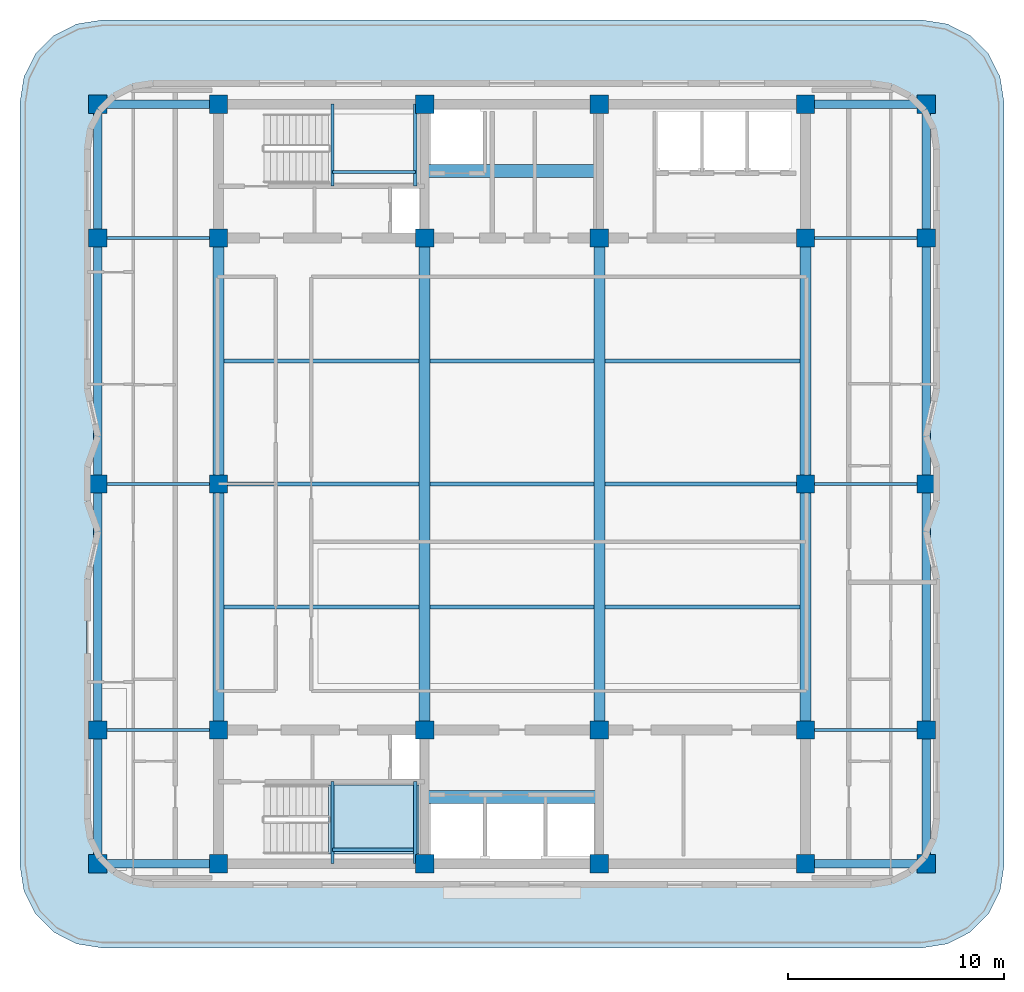
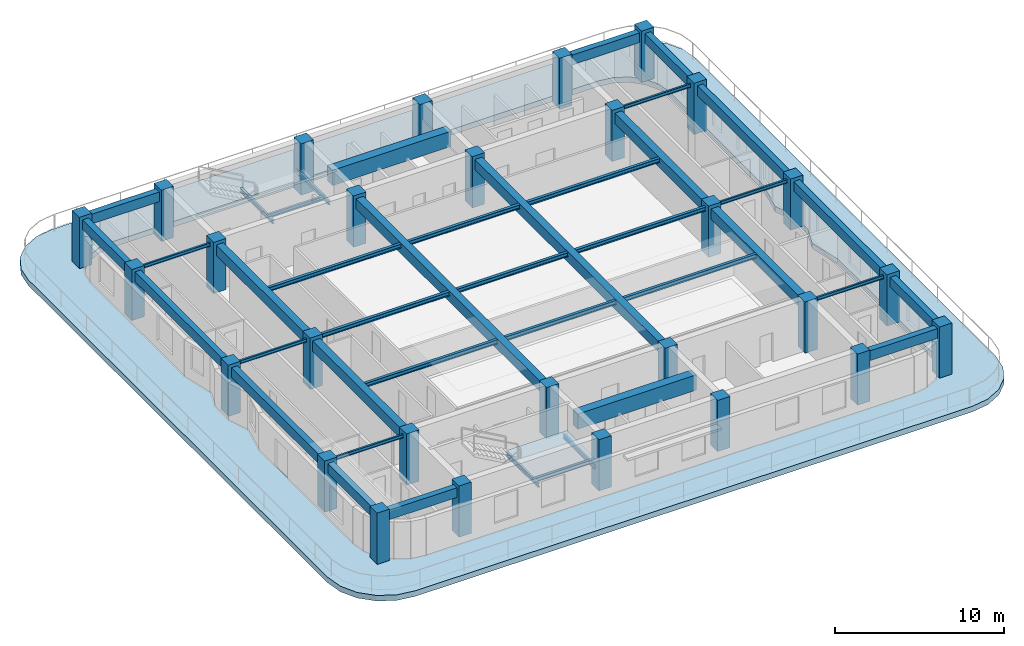
# One storey, part 1 of 9: 41 beams, 28 columns, 2 slabs, 1 element without a shape of its own.
"""IFC4 building model written with IfcOpenShell, lengths in metres."""

from ifc_helpers import new_model, si_unit, direction, frame, origin, origin_2d, place, context, subcontext, project, spatial, polyline, rectangle, i_section, outline, extrude, material, layer, layer_set, material_profile, profile_set, type_object, element, aggregate, save


model = new_model("IFC4")

# Units and contexts
model_context = context("Model", 3, precision=1e-05, world=origin(), true_north=direction((0.0, 1.0)))
body_context = subcontext(model_context, "Body", "Model", "MODEL_VIEW")
ifc_project = project(units=[si_unit("LENGTHUNIT", "METRE"), si_unit("AREAUNIT", "SQUARE_METRE"), si_unit("VOLUMEUNIT", "CUBIC_METRE"), si_unit("PLANEANGLEUNIT", "RADIAN"), si_unit("MASSUNIT", "GRAM", prefix="KILO")], contexts=[model_context])

# Site, building, storey
site_placement = place(None, origin())
site = spatial("IfcSite", under=ifc_project, at=site_placement, CompositionType="ELEMENT")
building_placement = place(site_placement, origin())
building = spatial("IfcBuilding", under=site, at=building_placement, Name="Svetorya Sky Lyceum", CompositionType="ELEMENT")
storey_placement = place(building_placement, frame((0.0, 0.0, 225.800048828125)))
storey = spatial("IfcBuildingStorey", under=building, at=storey_placement, Name="L56", CompositionType="ELEMENT", Elevation=225.800048828125)

# Columns
ifc_material_1 = material(Name="Concrete C50/60", Category="concrete")
ifc_material_profile_1 = material_profile(ifc_material_1, rectangle(XDim=0.85009765625, YDim=0.85009765625, at=origin_2d()), Name="RC COL 850x850")
ifc_profile_set_1 = profile_set([ifc_material_profile_1], Name="Concrete C50/60")
column_type = type_object("IfcColumnType", Name="COL-RC-850", PredefinedType="COLUMN", material=ifc_profile_set_1)
for number, where, z_axis, x_axis, name in (
    (1, (25.60009765625, 10.60009765625, 0.0), (0.0, 0.0, 1.0), (1.0, 0.0, 0.0), "L56 Core Column CS-11"),
    (2, (25.60009765625, 16.800048828125, 0.0), (0.0, 0.0, 1.0), (1.0, 0.0, 0.0), "L56 Core Column CS-12"),
    (3, (35.14990234375, 10.60009765625, 0.0), (0.0, 0.0, 1.0), (1.0, 0.0, 0.0), "L56 Core Column CS-21"),
    (4, (35.14990234375, 16.800048828125, 0.0), (0.0, 0.0, 1.0), (1.0, 0.0, 0.0), "L56 Core Column CS-22"),
    (5, (43.25, 10.60009765625, 0.0), (0.0, 0.0, 1.0), (1.0, 0.0, 0.0), "L56 Core Column CS-31"),
    (6, (43.25, 16.800048828125, 0.0), (0.0, 0.0, 1.0), (1.0, 0.0, 0.0), "L56 Core Column CS-32"),
    (7, (52.800048828125, 10.60009765625, 0.0), (0.0, 0.0, 1.0), (1.0, 0.0, 0.0), "L56 Core Column CS-41"),
    (8, (52.800048828125, 16.800048828125, 0.0), (0.0, 0.0, 1.0), (1.0, 0.0, 0.0), "L56 Core Column CS-42"),
    (9, (25.60009765625, 39.60009765625, 0.0), (0.0, 0.0, 1.0), (1.0, 0.0, 0.0), "L56 Core Column CN-11"),
    (10, (25.60009765625, 45.800048828125, 0.0), (0.0, 0.0, 1.0), (1.0, 0.0, 0.0), "L56 Core Column CN-12"),
    (11, (35.14990234375, 39.60009765625, 0.0), (0.0, 0.0, 1.0), (1.0, 0.0, 0.0), "L56 Core Column CN-21"),
    (12, (35.14990234375, 45.800048828125, 0.0), (0.0, 0.0, 1.0), (1.0, 0.0, 0.0), "L56 Core Column CN-22"),
    (13, (43.25, 39.60009765625, 0.0), (0.0, 0.0, 1.0), (1.0, 0.0, 0.0), "L56 Core Column CN-31"),
    (14, (43.25, 45.800048828125, 0.0), (0.0, 0.0, 1.0), (1.0, 0.0, 0.0), "L56 Core Column CN-32"),
    (15, (52.800048828125, 39.60009765625, 0.0), (0.0, 0.0, 1.0), (1.0, 0.0, 0.0), "L56 Core Column CN-41"),
    (16, (52.800048828125, 45.800048828125, 0.0), (0.0, 0.0, 1.0), (1.0, 0.0, 0.0), "L56 Core Column CN-42"),
    (17, (25.60009765625, 28.199951171875, 0.0), (0.0, 0.0, 1.0), (1.0, 0.0, 0.0), "L56 Core Column CM-W"),
    (18, (52.800048828125, 28.199951171875, 0.0), (0.0, 0.0, 1.0), (1.0, 0.0, 0.0), "L56 Core Column CM-E"),
    (19, (20.010009765625, 10.60009765625, 0.0), (0.0, 0.0, 1.0), (1.0, 0.0, 0.0), "L56 Perimeter Column W1"),
    (20, (58.389892578125, 10.60009765625, 0.0), (0.0, 0.0, 1.0), (1.0, 0.0, 0.0), "L56 Perimeter Column E1"),
    (21, (20.010009765625, 16.800048828125, 0.0), (0.0, 0.0, 1.0), (1.0, 0.0, 0.0), "L56 Perimeter Column W2"),
    (22, (58.389892578125, 16.800048828125, 0.0), (0.0, 0.0, 1.0), (1.0, 0.0, 0.0), "L56 Perimeter Column E2"),
    (23, (20.010009765625, 28.199951171875, 0.0), (0.0, 0.0, 1.0), (1.0, 0.0, 0.0), "L56 Perimeter Column W3"),
    (24, (58.389892578125, 28.199951171875, 0.0), (0.0, 0.0, 1.0), (1.0, 0.0, 0.0), "L56 Perimeter Column E3"),
    (25, (20.010009765625, 39.60009765625, 0.0), (0.0, 0.0, 1.0), (1.0, 0.0, 0.0), "L56 Perimeter Column W4"),
    (26, (58.389892578125, 39.60009765625, 0.0), (0.0, 0.0, 1.0), (1.0, 0.0, 0.0), "L56 Perimeter Column E4"),
    (27, (20.010009765625, 45.800048828125, 0.0), (0.0, 0.0, 1.0), (1.0, 0.0, 0.0), "L56 Perimeter Column W5"),
    (28, (58.389892578125, 45.800048828125, 0.0), (0.0, 0.0, 1.0), (1.0, 0.0, 0.0), "L56 Perimeter Column E5"),
):
    element("IfcColumn", number, at=place(storey_placement, frame(where, z_axis=z_axis, x_axis=x_axis)), inside=storey, type_object=column_type, Name=name, PredefinedType="COLUMN", context=body_context, shape_type="SweptSolid", body=[
        extrude(rectangle(XDim=0.85009765625, YDim=0.85009765625, at=origin_2d()), origin(), (0.0, 0.0, 1.0), 3.699951171875),
    ])

# Beams
ifc_material_2 = material(Name="Concrete C60/75", Category="concrete")
ifc_material_profile_2 = material_profile(ifc_material_2, rectangle(XDim=0.60009765625, YDim=1.10009765625, at=origin_2d()), Name="RC COUPLING 600x1100")
ifc_profile_set_2 = profile_set([ifc_material_profile_2], Name="Concrete C60/75")
beam_type_1 = type_object("IfcBeamType", Name="BM-CPL-1100", PredefinedType="LINTEL", material=ifc_profile_set_2)
for number, where, z_axis, x_axis, name in (
    (29, (35.14990234375, 13.699951171875, 2.89990234375), (1.0, 0.0, 0.0), (0.0, 1.0, 0.0), "L56 SC Core Coupling Beam"),
    (30, (35.14990234375, 42.699951171875, 2.89990234375), (1.0, 0.0, 0.0), (0.0, 1.0, 0.0), "L56 NC Core Coupling Beam"),
):
    element("IfcBeam", number, at=place(storey_placement, frame(where, z_axis=z_axis, x_axis=x_axis)), inside=storey, type_object=beam_type_1, Name=name, PredefinedType="LINTEL", context=body_context, shape_type="SweptSolid", body=[
        extrude(rectangle(XDim=0.60009765625, YDim=1.10009765625, at=origin_2d()), origin(), (0.0, 0.0, 1.0), 8.10009765625),
    ])
ifc_material_profile_3 = material_profile(ifc_material_1, rectangle(XDim=0.5, YDim=0.75, at=origin_2d()), Name="RC BEAM 500x750")
ifc_profile_set_3 = profile_set([ifc_material_profile_3], Name="Concrete C50/60")
beam_type_2 = type_object("IfcBeamType", Name="BM-RC-750", PredefinedType="BEAM", material=ifc_profile_set_3)
beam_1_placement = place(storey_placement, frame((25.60009765625, 16.800048828125, 3.074951171875), z_axis=(0.0, 1.0, 0.0), x_axis=(-1.0, 0.0, 0.0)))
element("IfcBeam", 31, at=beam_1_placement, inside=storey, type_object=beam_type_2, Name="L56 Central Bay Primary Girder CG-1A", PredefinedType="BEAM", context=body_context, shape_type="SweptSolid", body=[
    extrude(rectangle(XDim=0.5, YDim=0.75, at=origin_2d()), origin(), (0.0, 0.0, 1.0), 11.39990234375),
])
beam_2_placement = place(storey_placement, frame((25.60009765625, 28.199951171875, 3.074951171875), z_axis=(0.0, 1.0, 0.0), x_axis=(-1.0, 0.0, 0.0)))
element("IfcBeam", 32, at=beam_2_placement, inside=storey, type_object=beam_type_2, Name="L56 Central Bay Primary Girder CG-1B", PredefinedType="BEAM", context=body_context, shape_type="SweptSolid", body=[
    extrude(rectangle(XDim=0.5, YDim=0.75, at=origin_2d()), origin(), (0.0, 0.0, 1.0), 11.400146484375),
])
for number, where, z_axis, x_axis, name in (
    (33, (35.14990234375, 16.800048828125, 3.074951171875), (0.0, 1.0, 0.0), (-1.0, 0.0, 0.0), "L56 Central Bay Primary Girder CG-2"),
    (34, (43.25, 16.800048828125, 3.074951171875), (0.0, 1.0, 0.0), (-1.0, 0.0, 0.0), "L56 Central Bay Primary Girder CG-3"),
):
    element("IfcBeam", number, at=place(storey_placement, frame(where, z_axis=z_axis, x_axis=x_axis)), inside=storey, type_object=beam_type_2, Name=name, PredefinedType="BEAM", context=body_context, shape_type="SweptSolid", body=[
        extrude(rectangle(XDim=0.5, YDim=0.75, at=origin_2d()), origin(), (0.0, 0.0, 1.0), 22.800048828125),
    ])
beam_3_placement = place(storey_placement, frame((52.800048828125, 16.800048828125, 3.074951171875), z_axis=(0.0, 1.0, 0.0), x_axis=(-1.0, 0.0, 0.0)))
element("IfcBeam", 35, at=beam_3_placement, inside=storey, type_object=beam_type_2, Name="L56 Central Bay Primary Girder CG-4A", PredefinedType="BEAM", context=body_context, shape_type="SweptSolid", body=[
    extrude(rectangle(XDim=0.5, YDim=0.75, at=origin_2d()), origin(), (0.0, 0.0, 1.0), 11.39990234375),
])
beam_4_placement = place(storey_placement, frame((52.800048828125, 28.199951171875, 3.074951171875), z_axis=(0.0, 1.0, 0.0), x_axis=(-1.0, 0.0, 0.0)))
element("IfcBeam", 36, at=beam_4_placement, inside=storey, type_object=beam_type_2, Name="L56 Central Bay Primary Girder CG-4B", PredefinedType="BEAM", context=body_context, shape_type="SweptSolid", body=[
    extrude(rectangle(XDim=0.5, YDim=0.75, at=origin_2d()), origin(), (0.0, 0.0, 1.0), 11.400146484375),
])
ifc_material_profile_4 = material_profile(ifc_material_1, rectangle(XDim=0.39990234375, YDim=0.699951171875, at=origin_2d()), Name="RC SPANDREL 400x700")
ifc_profile_set_4 = profile_set([ifc_material_profile_4], Name="Concrete C50/60")
beam_type_3 = type_object("IfcBeamType", Name="BM-SPN-700", PredefinedType="SPANDREL", material=ifc_profile_set_4)
for number, where, z_axis, x_axis, name in (
    (37, (20.010009765625, 10.60009765625, 3.099853515625), (1.0, 0.0, 0.0), (0.0, 1.0, 0.0), "L56 Tie Spandrel SW"),
    (38, (20.010009765625, 45.800048828125, 3.099853515625), (1.0, 0.0, 0.0), (0.0, 1.0, 0.0), "L56 Tie Spandrel NW"),
):
    element("IfcBeam", number, at=place(storey_placement, frame(where, z_axis=z_axis, x_axis=x_axis)), inside=storey, type_object=beam_type_3, Name=name, PredefinedType="SPANDREL", context=body_context, shape_type="SweptSolid", body=[
        extrude(rectangle(XDim=0.39990234375, YDim=0.699951171875, at=origin_2d()), origin(), (0.0, 0.0, 1.0), 5.590087890625),
    ])
for number, where, z_axis, x_axis, name in (
    (39, (52.800048828125, 10.60009765625, 3.099853515625), (1.0, 0.0, 0.0), (0.0, 1.0, 0.0), "L56 Tie Spandrel SE"),
    (40, (52.800048828125, 45.800048828125, 3.099853515625), (1.0, 0.0, 0.0), (0.0, 1.0, 0.0), "L56 Tie Spandrel NE"),
):
    element("IfcBeam", number, at=place(storey_placement, frame(where, z_axis=z_axis, x_axis=x_axis)), inside=storey, type_object=beam_type_3, Name=name, PredefinedType="SPANDREL", context=body_context, shape_type="SweptSolid", body=[
        extrude(rectangle(XDim=0.39990234375, YDim=0.699951171875, at=origin_2d()), origin(), (0.0, 0.0, 1.0), 5.58984375),
    ])
beam_5_placement = place(storey_placement, frame((20.010009765625, 10.60009765625, 3.099853515625), z_axis=(0.0, 1.0, 0.0), x_axis=(-1.0, 0.0, 0.0)))
element("IfcBeam", 41, at=beam_5_placement, inside=storey, type_object=beam_type_3, Name="L56 West Spandrel 1", PredefinedType="SPANDREL", context=body_context, shape_type="SweptSolid", body=[
    extrude(rectangle(XDim=0.39990234375, YDim=0.699951171875, at=origin_2d()), origin(), (0.0, 0.0, 1.0), 6.199951171875),
])
beam_6_placement = place(storey_placement, frame((20.010009765625, 16.800048828125, 3.099853515625), z_axis=(0.0, 1.0, 0.0), x_axis=(-1.0, 0.0, 0.0)))
element("IfcBeam", 42, at=beam_6_placement, inside=storey, type_object=beam_type_3, Name="L56 West Spandrel 2", PredefinedType="SPANDREL", context=body_context, shape_type="SweptSolid", body=[
    extrude(rectangle(XDim=0.39990234375, YDim=0.699951171875, at=origin_2d()), origin(), (0.0, 0.0, 1.0), 11.39990234375),
])
beam_7_placement = place(storey_placement, frame((20.010009765625, 28.199951171875, 3.099853515625), z_axis=(0.0, 1.0, 0.0), x_axis=(-1.0, 0.0, 0.0)))
element("IfcBeam", 43, at=beam_7_placement, inside=storey, type_object=beam_type_3, Name="L56 West Spandrel 3", PredefinedType="SPANDREL", context=body_context, shape_type="SweptSolid", body=[
    extrude(rectangle(XDim=0.39990234375, YDim=0.699951171875, at=origin_2d()), origin(), (0.0, 0.0, 1.0), 11.400146484375),
])
for number, where, z_axis, x_axis, name in (
    (44, (20.010009765625, 39.60009765625, 3.099853515625), (0.0, 1.0, 0.0), (-1.0, 0.0, 0.0), "L56 West Spandrel 4"),
    (45, (58.389892578125, 10.60009765625, 3.099853515625), (0.0, 1.0, 0.0), (-1.0, 0.0, 0.0), "L56 East Spandrel 1"),
):
    element("IfcBeam", number, at=place(storey_placement, frame(where, z_axis=z_axis, x_axis=x_axis)), inside=storey, type_object=beam_type_3, Name=name, PredefinedType="SPANDREL", context=body_context, shape_type="SweptSolid", body=[
        extrude(rectangle(XDim=0.39990234375, YDim=0.699951171875, at=origin_2d()), origin(), (0.0, 0.0, 1.0), 6.199951171875),
    ])
beam_8_placement = place(storey_placement, frame((58.389892578125, 16.800048828125, 3.099853515625), z_axis=(0.0, 1.0, 0.0), x_axis=(-1.0, 0.0, 0.0)))
element("IfcBeam", 46, at=beam_8_placement, inside=storey, type_object=beam_type_3, Name="L56 East Spandrel 2", PredefinedType="SPANDREL", context=body_context, shape_type="SweptSolid", body=[
    extrude(rectangle(XDim=0.39990234375, YDim=0.699951171875, at=origin_2d()), origin(), (0.0, 0.0, 1.0), 11.39990234375),
])
beam_9_placement = place(storey_placement, frame((58.389892578125, 28.199951171875, 3.099853515625), z_axis=(0.0, 1.0, 0.0), x_axis=(-1.0, 0.0, 0.0)))
element("IfcBeam", 47, at=beam_9_placement, inside=storey, type_object=beam_type_3, Name="L56 East Spandrel 3", PredefinedType="SPANDREL", context=body_context, shape_type="SweptSolid", body=[
    extrude(rectangle(XDim=0.39990234375, YDim=0.699951171875, at=origin_2d()), origin(), (0.0, 0.0, 1.0), 11.400146484375),
])
beam_10_placement = place(storey_placement, frame((58.389892578125, 39.60009765625, 3.099853515625), z_axis=(0.0, 1.0, 0.0), x_axis=(-1.0, 0.0, 0.0)))
element("IfcBeam", 48, at=beam_10_placement, inside=storey, type_object=beam_type_3, Name="L56 East Spandrel 4", PredefinedType="SPANDREL", context=body_context, shape_type="SweptSolid", body=[
    extrude(rectangle(XDim=0.39990234375, YDim=0.699951171875, at=origin_2d()), origin(), (0.0, 0.0, 1.0), 6.199951171875),
])
ifc_material_3 = material(Name="Steel S355", Category="steel")
ifc_material_profile_5 = material_profile(ifc_material_3, i_section(OverallWidth=0.1240234375, OverallDepth=0.248046875, WebThickness=0.006103515625, FlangeThickness=0.009521484375, at=origin_2d()), Name="GOST 25B2")
ifc_profile_set_5 = profile_set([ifc_material_profile_5], Name="Steel S355")
beam_type_4 = type_object("IfcBeamType", Name="BM-STL-25B2", PredefinedType="JOIST", material=ifc_profile_set_5)
beam_11_placement = place(storey_placement, frame((20.010009765625, 16.800048828125, 3.325927734375), z_axis=(1.0, 0.0, 0.0), x_axis=(0.0, 1.0, 0.0)))
element("IfcBeam", 49, at=beam_11_placement, inside=storey, type_object=beam_type_4, Name="L56 West Wing Floor Joist W2", PredefinedType="JOIST", context=body_context, shape_type="SweptSolid", body=[
    extrude(i_section(OverallWidth=0.1240234375, OverallDepth=0.248046875, WebThickness=0.006103515625, FlangeThickness=0.009521484375, at=origin_2d()), origin(), (0.0, 0.0, 1.0), 5.590087890625),
])
beam_12_placement = place(storey_placement, frame((52.800048828125, 16.800048828125, 3.325927734375), z_axis=(1.0, 0.0, 0.0), x_axis=(0.0, 1.0, 0.0)))
element("IfcBeam", 50, at=beam_12_placement, inside=storey, type_object=beam_type_4, Name="L56 East Wing Floor Joist E2", PredefinedType="JOIST", context=body_context, shape_type="SweptSolid", body=[
    extrude(i_section(OverallWidth=0.1240234375, OverallDepth=0.248046875, WebThickness=0.006103515625, FlangeThickness=0.009521484375, at=origin_2d()), origin(), (0.0, 0.0, 1.0), 5.58984375),
])
beam_13_placement = place(storey_placement, frame((20.010009765625, 28.199951171875, 3.325927734375), z_axis=(1.0, 0.0, 0.0), x_axis=(0.0, 1.0, 0.0)))
element("IfcBeam", 51, at=beam_13_placement, inside=storey, type_object=beam_type_4, Name="L56 West Wing Floor Joist W3", PredefinedType="JOIST", context=body_context, shape_type="SweptSolid", body=[
    extrude(i_section(OverallWidth=0.1240234375, OverallDepth=0.248046875, WebThickness=0.006103515625, FlangeThickness=0.009521484375, at=origin_2d()), origin(), (0.0, 0.0, 1.0), 5.590087890625),
])
beam_14_placement = place(storey_placement, frame((52.800048828125, 28.199951171875, 3.325927734375), z_axis=(1.0, 0.0, 0.0), x_axis=(0.0, 1.0, 0.0)))
element("IfcBeam", 52, at=beam_14_placement, inside=storey, type_object=beam_type_4, Name="L56 East Wing Floor Joist E3", PredefinedType="JOIST", context=body_context, shape_type="SweptSolid", body=[
    extrude(i_section(OverallWidth=0.1240234375, OverallDepth=0.248046875, WebThickness=0.006103515625, FlangeThickness=0.009521484375, at=origin_2d()), origin(), (0.0, 0.0, 1.0), 5.58984375),
])
beam_15_placement = place(storey_placement, frame((20.010009765625, 39.60009765625, 3.325927734375), z_axis=(1.0, 0.0, 0.0), x_axis=(0.0, 1.0, 0.0)))
element("IfcBeam", 53, at=beam_15_placement, inside=storey, type_object=beam_type_4, Name="L56 West Wing Floor Joist W4", PredefinedType="JOIST", context=body_context, shape_type="SweptSolid", body=[
    extrude(i_section(OverallWidth=0.1240234375, OverallDepth=0.248046875, WebThickness=0.006103515625, FlangeThickness=0.009521484375, at=origin_2d()), origin(), (0.0, 0.0, 1.0), 5.590087890625),
])
beam_16_placement = place(storey_placement, frame((52.800048828125, 39.60009765625, 3.325927734375), z_axis=(1.0, 0.0, 0.0), x_axis=(0.0, 1.0, 0.0)))
element("IfcBeam", 54, at=beam_16_placement, inside=storey, type_object=beam_type_4, Name="L56 East Wing Floor Joist E4", PredefinedType="JOIST", context=body_context, shape_type="SweptSolid", body=[
    extrude(i_section(OverallWidth=0.1240234375, OverallDepth=0.248046875, WebThickness=0.006103515625, FlangeThickness=0.009521484375, at=origin_2d()), origin(), (0.0, 0.0, 1.0), 5.58984375),
])
ifc_material_profile_6 = material_profile(ifc_material_3, i_section(OverallWidth=0.14990234375, OverallDepth=0.299072265625, WebThickness=0.006591796875, FlangeThickness=0.010498046875, at=origin_2d()), Name="GOST 30B2")
ifc_profile_set_6 = profile_set([ifc_material_profile_6], Name="Steel S355")
beam_type_5 = type_object("IfcBeamType", Name="BM-STL-30B2", PredefinedType="JOIST", material=ifc_profile_set_6)
for number, where, z_axis, x_axis, name in (
    (55, (30.8798828125, 10.60009765625, 1.50048828125), (0.0, 1.0, 0.0), (-1.0, 0.0, 0.0), "L56 Stair ST-S Half-Landing Support Beam 64.1"),
    (56, (34.719970703125, 10.60009765625, 1.50048828125), (0.0, 1.0, 0.0), (-1.0, 0.0, 0.0), "L56 Stair ST-S Half-Landing Support Beam 64.2"),
):
    element("IfcBeam", number, at=place(storey_placement, frame(where, z_axis=z_axis, x_axis=x_axis)), inside=storey, type_object=beam_type_5, Name=name, PredefinedType="JOIST", context=body_context, shape_type="SweptSolid", body=[
        extrude(i_section(OverallWidth=0.14990234375, OverallDepth=0.299072265625, WebThickness=0.006591796875, FlangeThickness=0.010498046875, at=origin_2d()), origin(), (0.0, 0.0, 1.0), 3.7998046875),
    ])
beam_17_placement = place(storey_placement, frame((30.8798828125, 11.25, 1.50048828125), z_axis=(1.0, 0.0, 0.0), x_axis=(0.0, 1.0, 0.0)))
element("IfcBeam", 57, at=beam_17_placement, inside=storey, type_object=beam_type_5, Name="L56 Stair ST-S Half-Landing Cross Tie 64", PredefinedType="JOIST", context=body_context, shape_type="SweptSolid", body=[
    extrude(i_section(OverallWidth=0.14990234375, OverallDepth=0.299072265625, WebThickness=0.006591796875, FlangeThickness=0.010498046875, at=origin_2d()), origin(), (0.0, 0.0, 1.0), 3.840087890625),
])
for number, where, z_axis, x_axis, name in (
    (58, (30.8798828125, 42.0, 1.50048828125), (0.0, 1.0, 0.0), (-1.0, 0.0, 0.0), "L56 Stair ST-N Half-Landing Support Beam 64.1"),
    (59, (34.719970703125, 42.0, 1.50048828125), (0.0, 1.0, 0.0), (-1.0, 0.0, 0.0), "L56 Stair ST-N Half-Landing Support Beam 64.2"),
):
    element("IfcBeam", number, at=place(storey_placement, frame(where, z_axis=z_axis, x_axis=x_axis)), inside=storey, type_object=beam_type_5, Name=name, PredefinedType="JOIST", context=body_context, shape_type="SweptSolid", body=[
        extrude(i_section(OverallWidth=0.14990234375, OverallDepth=0.299072265625, WebThickness=0.006591796875, FlangeThickness=0.010498046875, at=origin_2d()), origin(), (0.0, 0.0, 1.0), 3.800048828125),
    ])
beam_18_placement = place(storey_placement, frame((30.8798828125, 42.64990234375, 1.50048828125), z_axis=(1.0, 0.0, 0.0), x_axis=(0.0, 1.0, 0.0)))
element("IfcBeam", 60, at=beam_18_placement, inside=storey, type_object=beam_type_5, Name="L56 Stair ST-N Half-Landing Cross Tie 64", PredefinedType="JOIST", context=body_context, shape_type="SweptSolid", body=[
    extrude(i_section(OverallWidth=0.14990234375, OverallDepth=0.299072265625, WebThickness=0.006591796875, FlangeThickness=0.010498046875, at=origin_2d()), origin(), (0.0, 0.0, 1.0), 3.840087890625),
])
ifc_material_profile_7 = material_profile(ifc_material_3, i_section(OverallWidth=0.199951171875, OverallDepth=0.298095703125, WebThickness=0.008544921875, FlangeThickness=0.012939453125, at=origin_2d()), Name="GOST 30Sh2")
ifc_profile_set_7 = profile_set([ifc_material_profile_7], Name="Steel S355")
beam_type_6 = type_object("IfcBeamType", Name="BM-STL-30SH2", PredefinedType="BEAM", material=ifc_profile_set_7)
beam_19_placement = place(storey_placement, frame((25.85009765625, 22.5, 3.301025390625), z_axis=(1.0, 0.0, 0.0), x_axis=(0.0, 1.0, 0.0)))
element("IfcBeam", 61, at=beam_19_placement, inside=storey, type_object=beam_type_6, Name="L56 Central Floor Joist CJ-1.1", PredefinedType="BEAM", context=body_context, shape_type="SweptSolid", body=[
    extrude(i_section(OverallWidth=0.199951171875, OverallDepth=0.298095703125, WebThickness=0.008544921875, FlangeThickness=0.012939453125, at=origin_2d()), origin(), (0.0, 0.0, 1.0), 9.0498046875),
])
beam_20_placement = place(storey_placement, frame((35.39990234375, 22.5, 3.301025390625), z_axis=(1.0, 0.0, 0.0), x_axis=(0.0, 1.0, 0.0)))
element("IfcBeam", 62, at=beam_20_placement, inside=storey, type_object=beam_type_6, Name="L56 Central Floor Joist CJ-1.2", PredefinedType="BEAM", context=body_context, shape_type="SweptSolid", body=[
    extrude(i_section(OverallWidth=0.199951171875, OverallDepth=0.298095703125, WebThickness=0.008544921875, FlangeThickness=0.012939453125, at=origin_2d()), origin(), (0.0, 0.0, 1.0), 7.60009765625),
])
beam_21_placement = place(storey_placement, frame((43.5, 22.5, 3.301025390625), z_axis=(1.0, 0.0, 0.0), x_axis=(0.0, 1.0, 0.0)))
element("IfcBeam", 63, at=beam_21_placement, inside=storey, type_object=beam_type_6, Name="L56 Central Floor Joist CJ-1.3", PredefinedType="BEAM", context=body_context, shape_type="SweptSolid", body=[
    extrude(i_section(OverallWidth=0.199951171875, OverallDepth=0.298095703125, WebThickness=0.008544921875, FlangeThickness=0.012939453125, at=origin_2d()), origin(), (0.0, 0.0, 1.0), 9.050048828125),
])
beam_22_placement = place(storey_placement, frame((25.85009765625, 28.199951171875, 3.301025390625), z_axis=(1.0, 0.0, 0.0), x_axis=(0.0, 1.0, 0.0)))
element("IfcBeam", 64, at=beam_22_placement, inside=storey, type_object=beam_type_6, Name="L56 Central Floor Joist CJ-2.1", PredefinedType="BEAM", context=body_context, shape_type="SweptSolid", body=[
    extrude(i_section(OverallWidth=0.199951171875, OverallDepth=0.298095703125, WebThickness=0.008544921875, FlangeThickness=0.012939453125, at=origin_2d()), origin(), (0.0, 0.0, 1.0), 9.0498046875),
])
beam_23_placement = place(storey_placement, frame((35.39990234375, 28.199951171875, 3.301025390625), z_axis=(1.0, 0.0, 0.0), x_axis=(0.0, 1.0, 0.0)))
element("IfcBeam", 65, at=beam_23_placement, inside=storey, type_object=beam_type_6, Name="L56 Central Floor Joist CJ-2.2", PredefinedType="BEAM", context=body_context, shape_type="SweptSolid", body=[
    extrude(i_section(OverallWidth=0.199951171875, OverallDepth=0.298095703125, WebThickness=0.008544921875, FlangeThickness=0.012939453125, at=origin_2d()), origin(), (0.0, 0.0, 1.0), 7.60009765625),
])
beam_24_placement = place(storey_placement, frame((43.5, 28.199951171875, 3.301025390625), z_axis=(1.0, 0.0, 0.0), x_axis=(0.0, 1.0, 0.0)))
element("IfcBeam", 66, at=beam_24_placement, inside=storey, type_object=beam_type_6, Name="L56 Central Floor Joist CJ-2.3", PredefinedType="BEAM", context=body_context, shape_type="SweptSolid", body=[
    extrude(i_section(OverallWidth=0.199951171875, OverallDepth=0.298095703125, WebThickness=0.008544921875, FlangeThickness=0.012939453125, at=origin_2d()), origin(), (0.0, 0.0, 1.0), 9.050048828125),
])
beam_25_placement = place(storey_placement, frame((25.85009765625, 33.89990234375, 3.301025390625), z_axis=(1.0, 0.0, 0.0), x_axis=(0.0, 1.0, 0.0)))
element("IfcBeam", 67, at=beam_25_placement, inside=storey, type_object=beam_type_6, Name="L56 Central Floor Joist CJ-3.1", PredefinedType="BEAM", context=body_context, shape_type="SweptSolid", body=[
    extrude(i_section(OverallWidth=0.199951171875, OverallDepth=0.298095703125, WebThickness=0.008544921875, FlangeThickness=0.012939453125, at=origin_2d()), origin(), (0.0, 0.0, 1.0), 9.0498046875),
])
beam_26_placement = place(storey_placement, frame((35.39990234375, 33.89990234375, 3.301025390625), z_axis=(1.0, 0.0, 0.0), x_axis=(0.0, 1.0, 0.0)))
element("IfcBeam", 68, at=beam_26_placement, inside=storey, type_object=beam_type_6, Name="L56 Central Floor Joist CJ-3.2", PredefinedType="BEAM", context=body_context, shape_type="SweptSolid", body=[
    extrude(i_section(OverallWidth=0.199951171875, OverallDepth=0.298095703125, WebThickness=0.008544921875, FlangeThickness=0.012939453125, at=origin_2d()), origin(), (0.0, 0.0, 1.0), 7.60009765625),
])
beam_27_placement = place(storey_placement, frame((43.5, 33.89990234375, 3.301025390625), z_axis=(1.0, 0.0, 0.0), x_axis=(0.0, 1.0, 0.0)))
element("IfcBeam", 69, at=beam_27_placement, inside=storey, type_object=beam_type_6, Name="L56 Central Floor Joist CJ-3.3", PredefinedType="BEAM", context=body_context, shape_type="SweptSolid", body=[
    extrude(i_section(OverallWidth=0.199951171875, OverallDepth=0.298095703125, WebThickness=0.008544921875, FlangeThickness=0.012939453125, at=origin_2d()), origin(), (0.0, 0.0, 1.0), 9.050048828125),
])

# Stair, slab
ifc_material_4 = material(Name="Concrete C40/50", Category="concrete")
stair_type = type_object("IfcStairType", Name="STR-ST-S", PredefinedType="HALF_TURN_STAIR", material=ifc_material_4)
stair_placement = place(storey_placement, origin())
stair = element("IfcStair", 70, at=stair_placement, inside=storey, type_object=stair_type, Name="L56 South Core Smoke-Free Exit Stair N2", PredefinedType="HALF_TURN_STAIR")
ifc_layer_1 = layer(ifc_material_4, 0.199951171875)
ifc_layer_set_1 = layer_set([ifc_layer_1], Name="Concrete C40/50")
slab_type_1 = type_object("IfcSlabType", Name="SL-STR-LAND-200", PredefinedType="LANDING", material=ifc_layer_set_1)
slab_1_placement = place(storey_placement, frame((0.0, 0.0, 1.64990234375)))
slab_1 = element("IfcSlab", 71, at=slab_1_placement, type_object=slab_type_1, Name="ST-S landing 1", PredefinedType="LANDING", context=body_context, shape_type="SweptSolid", body=[
    extrude(outline(polyline([(30.699951171875, 11.050048828125), (34.89990234375, 11.050048828125), (34.89990234375, 14.25), (30.699951171875, 14.25), (30.699951171875, 11.050048828125)])), origin(), (0.0, 0.0, 1.0), 0.199951171875),
])
aggregate(stair, [slab_1])

# Slab
ifc_layer_2 = layer(ifc_material_2, 0.39990234375)
ifc_layer_set_2 = layer_set([ifc_layer_2], Name="Concrete C60/75")
slab_type_2 = type_object("IfcSlabType", Name="SL-TER-400", PredefinedType="ROOF", material=ifc_layer_set_2)
slab_2_placement = place(storey_placement, frame((0.0, 0.0, -0.400146484375)))
element("IfcSlab", 72, at=slab_2_placement, inside=storey, type_object=slab_type_2, Name="L56 Setback Roof Terrace Apron", PredefinedType="ROOF", context=body_context, shape_type="SweptSolid", body=[
    extrude(outline(polyline([(16.39990234375, 10.5), (16.5859375, 9.32568359375), (17.125732421875, 8.266357421875), (17.96630859375, 7.42578125), (19.025634765625, 6.885986328125), (20.199951171875, 6.699951171875), (58.199951171875, 6.699951171875), (59.374267578125, 6.885986328125), (60.43359375, 7.42578125), (61.2744140625, 8.266357421875), (61.81396484375, 9.32568359375), (62.0, 10.5), (62.0, 45.89990234375), (61.81396484375, 47.07421875), (61.2744140625, 48.133544921875), (60.43359375, 48.974365234375), (59.374267578125, 49.513916015625), (58.199951171875, 49.699951171875), (20.199951171875, 49.699951171875), (19.025634765625, 49.513916015625), (17.96630859375, 48.974365234375), (17.125732421875, 48.133544921875), (16.5859375, 47.07421875), (16.39990234375, 45.89990234375), (16.39990234375, 10.5)]), holes=[polyline([(19.47998046875, 12.679931640625), (19.630615234375, 11.728271484375), (20.068115234375, 10.86962890625), (20.74951171875, 10.188232421875), (21.608154296875, 9.750732421875), (22.56005859375, 9.60009765625), (55.840087890625, 9.60009765625), (56.791748046875, 9.750732421875), (57.650390625, 10.188232421875), (58.331787109375, 10.86962890625), (58.769287109375, 11.728271484375), (58.919921875, 12.679931640625), (58.919921875, 23.800048828125), (58.419921875, 26.0), (58.919921875, 27.39990234375), (58.919921875, 29.0), (58.419921875, 30.39990234375), (58.919921875, 32.60009765625), (58.919921875, 43.719970703125), (58.769287109375, 44.671875), (58.331787109375, 45.530517578125), (57.650390625, 46.2119140625), (56.791748046875, 46.6494140625), (55.840087890625, 46.800048828125), (22.56005859375, 46.800048828125), (21.608154296875, 46.6494140625), (20.74951171875, 46.2119140625), (20.068115234375, 45.530517578125), (19.630615234375, 44.671875), (19.47998046875, 43.719970703125), (19.47998046875, 32.60009765625), (19.97998046875, 30.39990234375), (19.47998046875, 29.0), (19.47998046875, 27.39990234375), (19.97998046875, 26.0), (19.47998046875, 23.800048828125), (19.47998046875, 12.679931640625)])]), origin(), (0.0, 0.0, 1.0), 0.400146484375),
])

save(model, "model.ifc")
